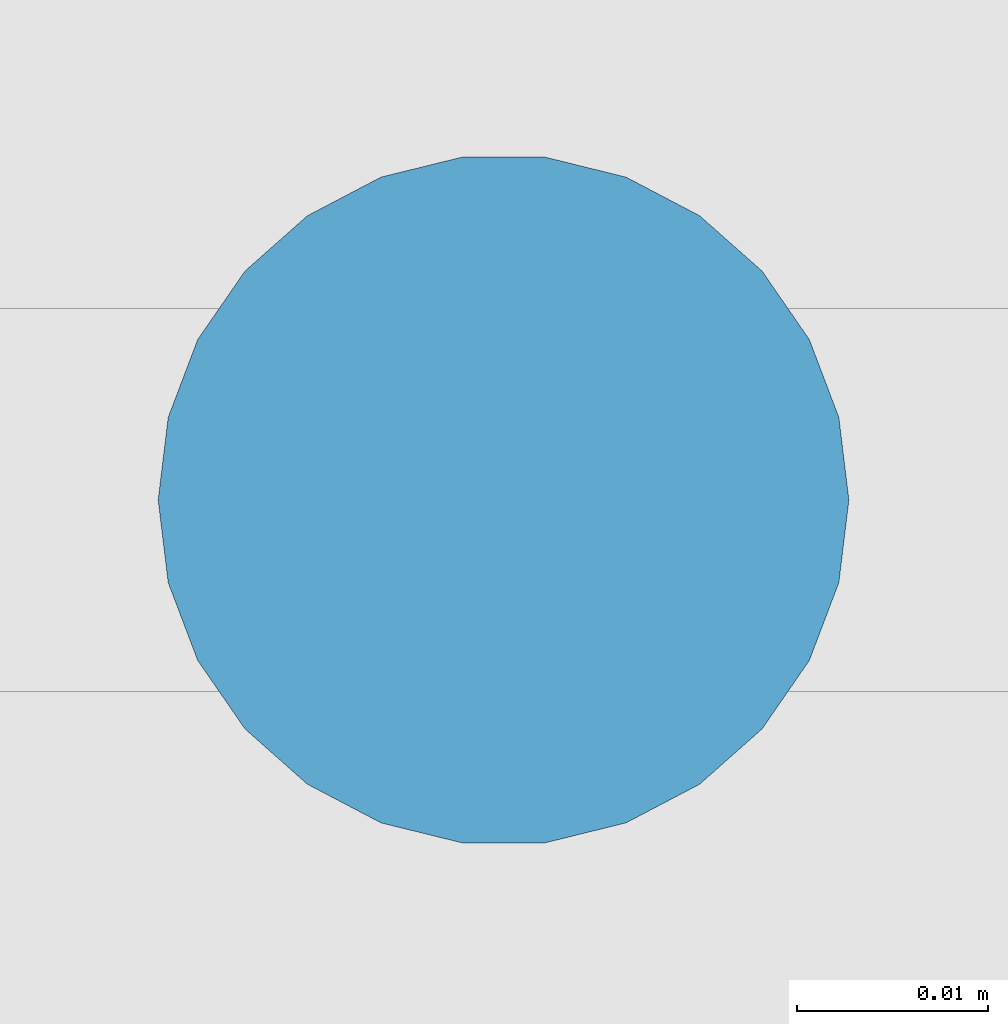
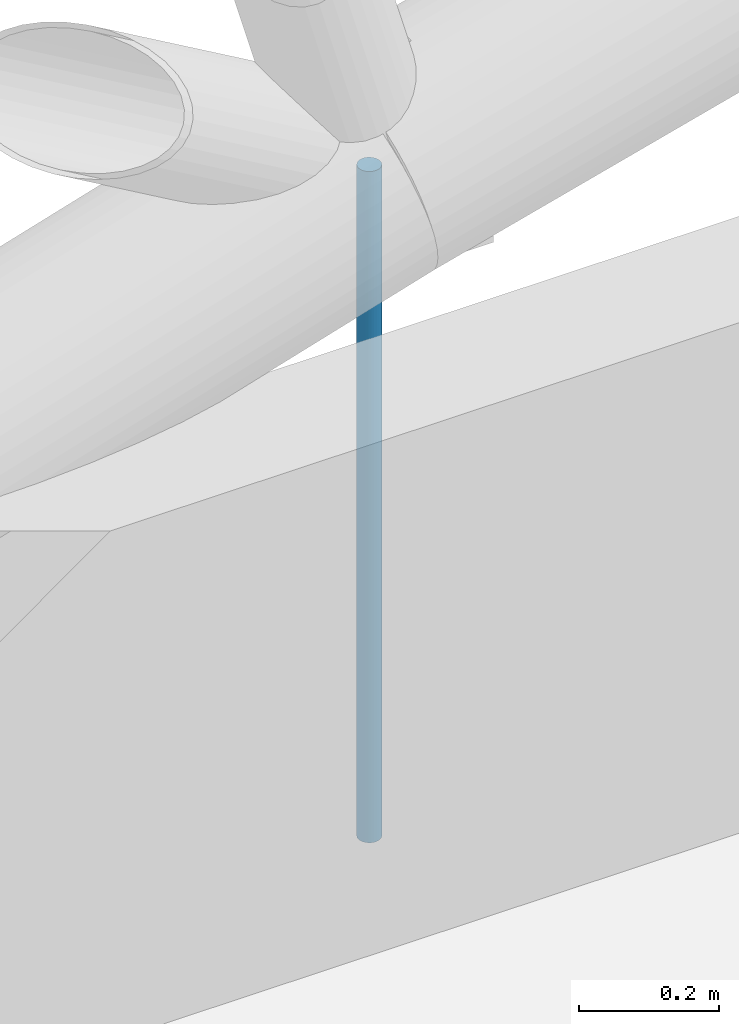
# One storey, part 14 of 321: 1 member.
"""IFC4 building model written with IfcOpenShell, lengths in metres."""

from ifc_helpers import new_model, si_unit, direction, frame, origin, origin_2d, place, context, subcontext, project, spatial, circle, extrude, material, material_profile, profile_set, type_object, element, save


model = new_model("IFC4")

# Units and contexts
model_context = context("Model", 3, precision=1e-05, world=origin(), true_north=direction((0.0, 1.0)))
body_context = subcontext(model_context, "Body", "Model", "MODEL_VIEW")
ifc_project = project(units=[si_unit("LENGTHUNIT", "METRE"), si_unit("AREAUNIT", "SQUARE_METRE"), si_unit("VOLUMEUNIT", "CUBIC_METRE"), si_unit("PLANEANGLEUNIT", "RADIAN"), si_unit("MASSUNIT", "GRAM", prefix="KILO")], contexts=[model_context])

# Site, building, storey
site_placement = place(None, origin())
site = spatial("IfcSite", under=ifc_project, at=site_placement, CompositionType="ELEMENT")
building_placement = place(site_placement, origin())
building = spatial("IfcBuilding", under=site, at=building_placement, Name="Ravi Spectrum Wholesale Market", CompositionType="ELEMENT")
storey_placement = place(building_placement, frame((0.0, 0.0, 10.800048828125)))
storey = spatial("IfcBuildingStorey", under=building, at=storey_placement, Name="L02", CompositionType="ELEMENT", Elevation=10.800048828125)

# Member
ifc_material = material(Name="Steel S355", Category="steel")
ifc_material_profile = material_profile(ifc_material, circle(Radius=0.01806640625, at=origin_2d()))
ifc_profile_set = profile_set([ifc_material_profile], Name="Steel S355")
member_type = type_object("IfcMemberType", Name="ROD 36 hanger", PredefinedType="STRUT", material=ifc_profile_set)
member_placement = place(storey_placement, frame((43.88427734375, 30.0, 0.0), z_axis=(0.0, 0.0, 1.0), x_axis=(1.0, 0.0, 0.0)))
element("IfcMember", 1, at=member_placement, inside=storey, type_object=member_type, Name="H1-MB-L02-095", PredefinedType="STRUT", context=body_context, shape_type="SweptSolid", body=[
    extrude(circle(Radius=0.01806640625, at=origin_2d()), origin(), (0.0, 0.0, 1.0), 1.173095703125),
])

save(model, "model.ifc")
